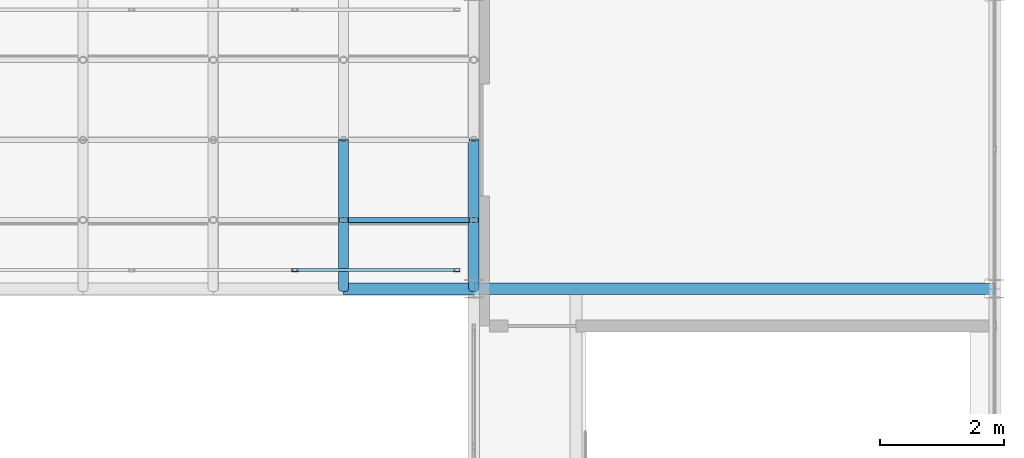
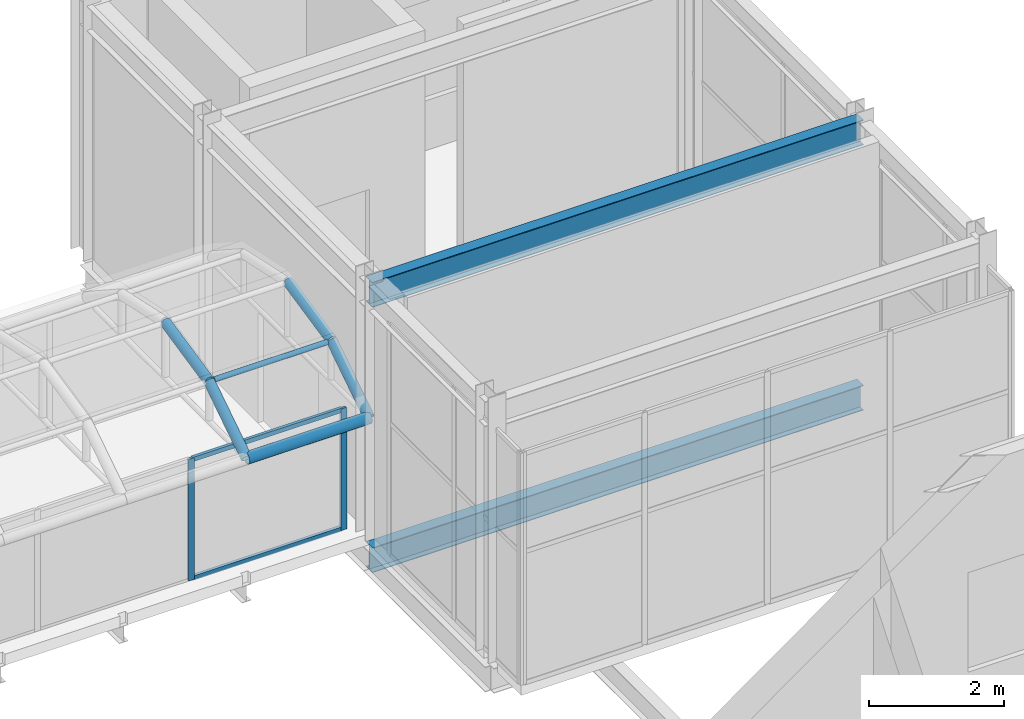
# One storey, part 104 of 167: 10 members, 2 beams, 1 element without a shape of its own.
"""IFC4 building model written with IfcOpenShell, lengths in metres."""

from ifc_helpers import new_model, si_unit, direction, frame, origin, origin_2d, place, context, subcontext, project, spatial, hollow_rectangle, hollow_circle, i_section, extrude, material, material_profile, profile_set, type_object, element, aggregate, save


model = new_model("IFC4")

# Units and contexts
model_context = context("Model", 3, precision=1e-05, world=origin(), true_north=direction((0.0, 1.0)))
body_context = subcontext(model_context, "Body", "Model", "MODEL_VIEW")
ifc_project = project(units=[si_unit("LENGTHUNIT", "METRE"), si_unit("AREAUNIT", "SQUARE_METRE"), si_unit("VOLUMEUNIT", "CUBIC_METRE"), si_unit("PLANEANGLEUNIT", "RADIAN"), si_unit("MASSUNIT", "GRAM", prefix="KILO")], contexts=[model_context])

# Site, building, storey
site_placement = place(None, origin())
site = spatial("IfcSite", under=ifc_project, at=site_placement, CompositionType="ELEMENT")
building_placement = place(site_placement, origin())
building = spatial("IfcBuilding", under=site, at=building_placement, Name="Catenary Quay Ferry Terminal", CompositionType="ELEMENT")
storey_placement = place(building_placement, frame((0.0, 0.0, 6.0)))
storey = spatial("IfcBuildingStorey", under=building, at=storey_placement, Name="L01", CompositionType="ELEMENT", Elevation=6.0)

# Beams
ifc_material_1 = material(Name="Steel S355", Category="steel")
ifc_material_profile_1 = material_profile(ifc_material_1, i_section(OverallWidth=0.18994140625, OverallDepth=0.453369140625, WebThickness=0.008544921875, FlangeThickness=0.0126953125, at=origin_2d()), Name="UB 457x191x67")
ifc_profile_set_1 = profile_set([ifc_material_profile_1], Name="Steel S355")
beam_type = type_object("IfcBeamType", Name="B1 UB 457x191x67", PredefinedType="BEAM", material=ifc_profile_set_1)
for number, where, z_axis, x_axis, name in (
    (1, (126.0, 90.0, 4.373046875), (1.0, 0.0, 0.0), (0.0, 1.0, 0.0), "Beam B1-044"),
    (2, (126.0, 90.0, -0.427001953125), (1.0, 0.0, 0.0), (0.0, 1.0, 0.0), "Beam B1-073"),
):
    element("IfcBeam", number, at=place(storey_placement, frame(where, z_axis=z_axis, x_axis=x_axis)), inside=storey, type_object=beam_type, Name=name, PredefinedType="BEAM", context=body_context, shape_type="SweptSolid", body=[
        extrude(i_section(OverallWidth=0.18994140625, OverallDepth=0.453369140625, WebThickness=0.008544921875, FlangeThickness=0.0126953125, at=origin_2d()), origin(), (0.0, 0.0, 1.0), 8.39990234375),
    ])

# Curtain wall, members
ifc_material_2 = material(Name="Aluminium and glass", Category="aluminium")
curtain_wall_type = type_object("IfcCurtainWallType", Name="CWB", PredefinedType="NOTDEFINED", material=ifc_material_2)
curtain_wall_placement = place(storey_placement, origin())
curtain_wall = element("IfcCurtainWall", 3, at=curtain_wall_placement, inside=storey, type_object=curtain_wall_type, Name="BB2 curtain wall CW67", PredefinedType="NOTDEFINED")
ifc_material_3 = material(Name="Aluminium", Category="aluminium")
ifc_material_profile_2 = material_profile(ifc_material_3, hollow_rectangle(XDim=0.050048828125, YDim=0.10009765625, WallThickness=0.0048828125, at=origin_2d()), Name="MU1")
ifc_profile_set_2 = profile_set([ifc_material_profile_2], Name="Aluminium")
member_type_1 = type_object("IfcMemberType", Name="MU1", PredefinedType="MULLION", material=ifc_profile_set_2)
member_1_placement = place(storey_placement, frame((123.11669921875, 90.300048828125, 0.0), z_axis=(0.0, 0.0, 1.0), x_axis=(0.0, 1.0, 0.0)))
member_1 = element("IfcMember", 4, at=member_1_placement, type_object=member_type_1, Name="CW67 mullion 3", PredefinedType="MULLION", context=body_context, shape_type="SweptSolid", body=[
    extrude(hollow_rectangle(XDim=0.050048828125, YDim=0.10009765625, WallThickness=0.0048828125, at=origin_2d()), origin(), (0.0, 0.0, 1.0), 2.195068359375),
])
member_2_placement = place(storey_placement, frame((125.72509765625, 90.300048828125, 0.0), z_axis=(0.0, 0.0, 1.0), x_axis=(0.0, 1.0, 0.0)))
member_2 = element("IfcMember", 5, at=member_2_placement, type_object=member_type_1, Name="CW67 mullion 4", PredefinedType="MULLION", context=body_context, shape_type="SweptSolid", body=[
    extrude(hollow_rectangle(XDim=0.050048828125, YDim=0.10009765625, WallThickness=0.0048828125, at=origin_2d()), origin(), (0.0, 0.0, 1.0), 2.195068359375),
])

# Members
ifc_material_4 = material(Name="Steel S355", Category="steel")
ifc_material_profile_3 = material_profile(ifc_material_4, hollow_circle(Radius=0.04443359375, WallThickness=0.0048828125, at=origin_2d()), Name="CHS 88.9x5")
ifc_profile_set_3 = profile_set([ifc_material_profile_3], Name="Steel S355")
member_type_2 = type_object("IfcMemberType", Name="PU3 CHS 88.9x5", PredefinedType="PURLIN", material=ifc_profile_set_3)
member_3_placement = place(storey_placement, frame((123.97998046875, 91.10791015625, 2.821044921875), z_axis=(1.0, 0.0, 0.0), x_axis=(0.0, 1.0, 0.0)))
element("IfcMember", 6, at=member_3_placement, inside=storey, type_object=member_type_2, Name="Purlin PU-RB2-16-01", PredefinedType="PURLIN", context=body_context, shape_type="SweptSolid", body=[
    extrude(hollow_circle(Radius=0.04443359375, WallThickness=0.0048828125, at=origin_2d()), origin(), (0.0, 0.0, 1.0), 1.93994140625),
])
ifc_material_5 = material(Name="Steel S355", Category="steel")
ifc_material_profile_4 = material_profile(ifc_material_5, hollow_circle(Radius=0.096923828125, WallThickness=0.010009765625, at=origin_2d()), Name="CHS 193.7x10")
ifc_profile_set_4 = profile_set([ifc_material_profile_4], Name="Steel S355")
member_type_3 = type_object("IfcMemberType", Name="TC2 CHS 193.7x10", PredefinedType="CHORD", material=ifc_profile_set_4)
member_4_placement = place(storey_placement, frame((123.89990234375, 90.0, 2.10009765625), z_axis=(1.0, 0.0, 0.0), x_axis=(0.0, 1.0, 0.0)))
element("IfcMember", 7, at=member_4_placement, inside=storey, type_object=member_type_3, Name="Bridge top chord BB2S-TC16", PredefinedType="CHORD", context=body_context, shape_type="SweptSolid", body=[
    extrude(hollow_circle(Radius=0.096923828125, WallThickness=0.010009765625, at=origin_2d()), origin(), (0.0, 0.0, 1.0), 2.10009765625),
])

# Member
ifc_material_6 = material(Name="Aluminium", Category="aluminium")
ifc_material_profile_5 = material_profile(ifc_material_6, hollow_rectangle(XDim=0.050048828125, YDim=0.080078125, WallThickness=0.00390625, at=origin_2d()), Name="TR1")
ifc_profile_set_5 = profile_set([ifc_material_profile_5], Name="Aluminium")
member_type_4 = type_object("IfcMemberType", Name="TR1", PredefinedType="USERDEFINED", material=ifc_profile_set_5)
member_5_placement = place(storey_placement, frame((123.1416015625, 90.300048828125, 0.02490234375), z_axis=(1.0, 0.0, 0.0), x_axis=(0.0, 1.0, 0.0)))
member_5 = element("IfcMember", 8, at=member_5_placement, type_object=member_type_4, Name="CW67 transom 3.1", ObjectType="TRANSOM", PredefinedType="USERDEFINED", context=body_context, shape_type="SweptSolid", body=[
    extrude(hollow_rectangle(XDim=0.050048828125, YDim=0.080078125, WallThickness=0.00390625, at=origin_2d()), origin(), (0.0, 0.0, 1.0), 2.558349609375),
])

member_6_placement = place(storey_placement, frame((123.1416015625, 90.300048828125, 2.169921875), z_axis=(1.0, 0.0, 0.0), x_axis=(0.0, 1.0, 0.0)))
member_6 = element("IfcMember", 9, at=member_6_placement, type_object=member_type_4, Name="CW67 transom 3.2", ObjectType="TRANSOM", PredefinedType="USERDEFINED", context=body_context, shape_type="SweptSolid", body=[
    extrude(hollow_rectangle(XDim=0.050048828125, YDim=0.080078125, WallThickness=0.00390625, at=origin_2d()), origin(), (0.0, 0.0, 1.0), 2.558349609375),
])

aggregate(curtain_wall, [member_1, member_2, member_5, member_6])

# Members
ifc_material_7 = material(Name="Steel S355", Category="steel")
ifc_material_profile_6 = material_profile(ifc_material_7, hollow_circle(Radius=0.084228515625, WallThickness=0.008056640625, at=origin_2d()), Name="CHS 168.3x8")
ifc_profile_set_6 = profile_set([ifc_material_profile_6], Name="Steel S355")
member_type_5 = type_object("IfcMemberType", Name="VR4 CHS 168.3x8", PredefinedType="RAFTER", material=ifc_profile_set_6)
for number, where, z_axis, x_axis, name in (
    (10, (123.89990234375, 90.0, 2.10009765625), (0.0, 0.838164997293, 0.545416755621), (-1.0, 0.0, 0.0), "rib RB2-16-01"),
    (11, (123.89990234375, 91.10791015625, 2.821044921875), (0.0, 0.977460543774, 0.211118178672), (-1.0, 0.0, 0.0), "rib RB2-16-02"),
    (12, (126.0, 90.0, 2.10009765625), (0.0, 0.838164997293, 0.545416755621), (-1.0, 0.0, 0.0), "rib RB2-17-01"),
    (13, (126.0, 91.10791015625, 2.821044921875), (0.0, 0.977460543774, 0.211118178672), (-1.0, 0.0, 0.0), "rib RB2-17-02"),
):
    element("IfcMember", number, at=place(storey_placement, frame(where, z_axis=z_axis, x_axis=x_axis)), inside=storey, type_object=member_type_5, Name=name, PredefinedType="RAFTER", context=body_context, shape_type="SweptSolid", body=[
        extrude(hollow_circle(Radius=0.084228515625, WallThickness=0.008056640625, at=origin_2d()), origin(), (0.0, 0.0, 1.0), 1.32177734375),
    ])

save(model, "model.ifc")
